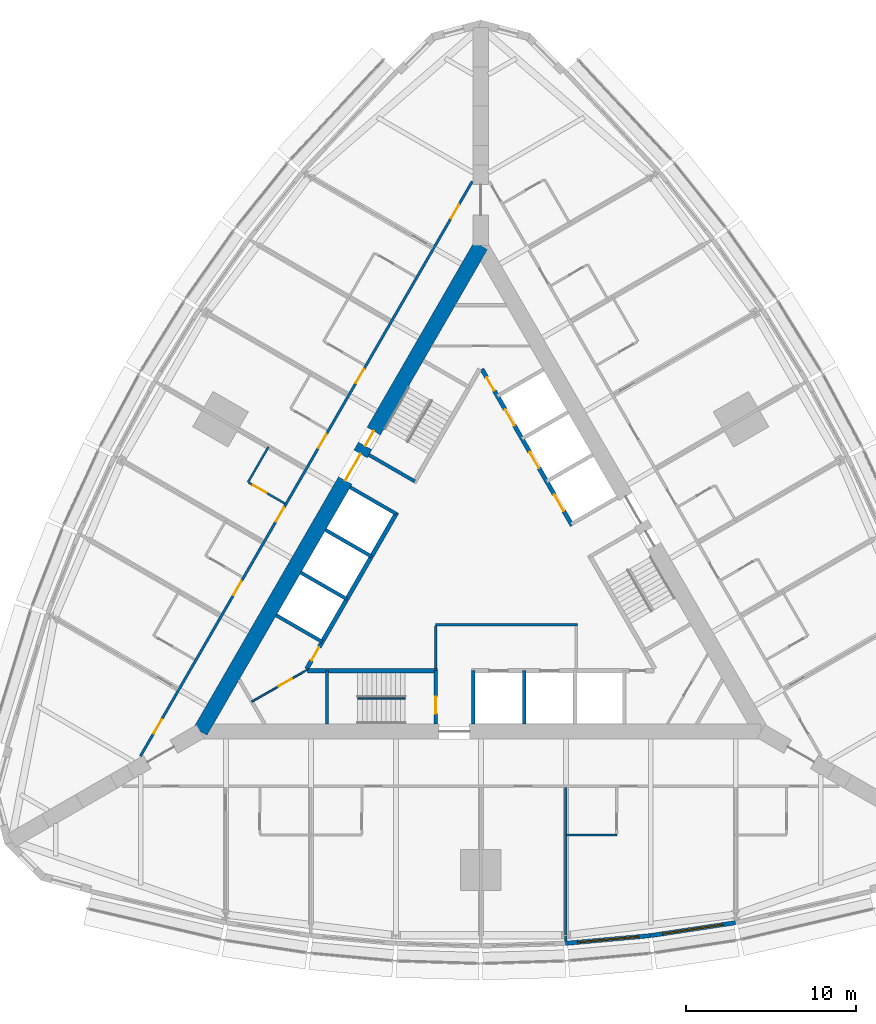
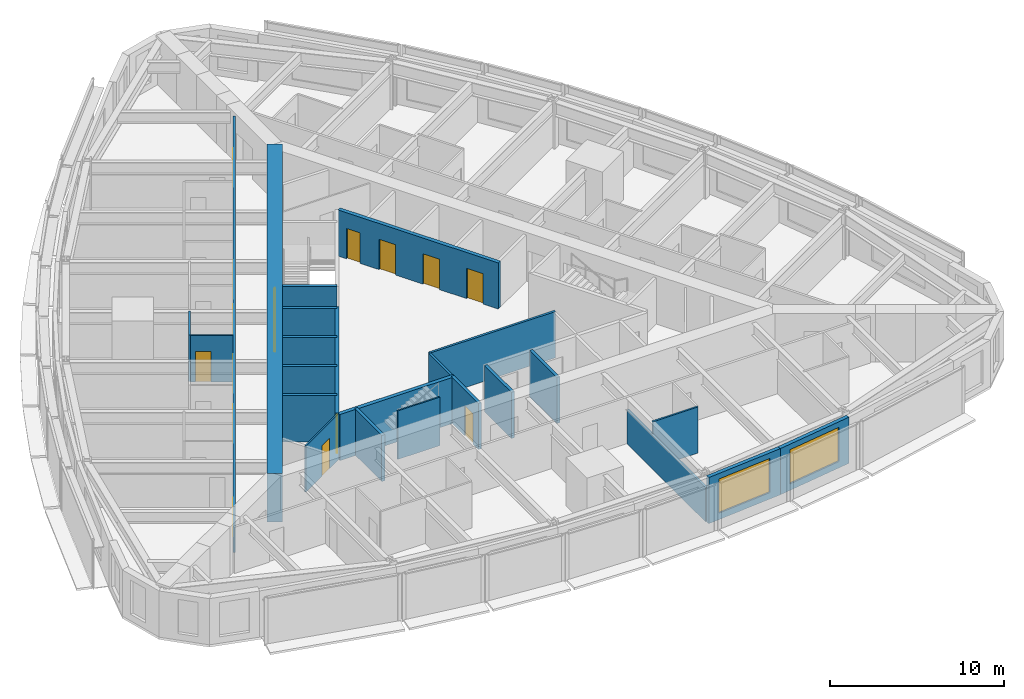
# One storey, part 9 of 14: 24 walls, 16 doors, 2 windows, 18 openings.
"""IFC4 building model written with IfcOpenShell, lengths in metres."""

from ifc_helpers import new_model, si_unit, direction, frame, frame_2d, origin, place, context, subcontext, project, spatial, rectangle, extrude, material, layer, layer_set, type_object, element, fill, save


model = new_model("IFC4")

# Units and contexts
model_context = context("Model", 3, precision=1e-05, world=origin(), true_north=direction((0.0, 1.0)))
body_context = subcontext(model_context, "Body", "Model", "MODEL_VIEW")
ifc_project = project(units=[si_unit("LENGTHUNIT", "METRE"), si_unit("AREAUNIT", "SQUARE_METRE"), si_unit("VOLUMEUNIT", "CUBIC_METRE"), si_unit("PLANEANGLEUNIT", "RADIAN"), si_unit("MASSUNIT", "GRAM", prefix="KILO")], contexts=[model_context])

# Site, building, storey
site_placement = place(None, origin())
site = spatial("IfcSite", under=ifc_project, at=site_placement, CompositionType="ELEMENT")
building_placement = place(site_placement, origin())
building = spatial("IfcBuilding", under=site, at=building_placement, Name="Trikona Tower", CompositionType="ELEMENT")
storey_placement = place(building_placement, frame((0.0, 0.0, 48.89990234375)))
storey = spatial("IfcBuildingStorey", under=building, at=storey_placement, Name="L11", CompositionType="ELEMENT", Elevation=48.89990234375)

# Walls
ifc_material_1 = material(Name="Metal stud and cement board", Category="gypsum")
ifc_layer_1 = layer(ifc_material_1, 0.1201171875)
ifc_layer_set_1 = layer_set([ifc_layer_1], Name="Bathroom wall 120")
wall_type_1 = type_object("IfcWallType", Name="Bathroom wall 120", PredefinedType="PLUMBINGWALL", material=ifc_layer_set_1)
wall_1_placement = place(storey_placement, frame((5.0, -15.626220703125, 0.0), z_axis=(0.0, 0.0, 1.0), x_axis=(1.0, 0.0, 0.0)))
element("IfcWall", 1, at=wall_1_placement, inside=storey, type_object=wall_type_1, Name="Bathroom wall 1103", PredefinedType="PLUMBINGWALL", context=body_context, shape_type="SweptSolid", body=[
    extrude(rectangle(XDim=3.0, YDim=0.1201171875, at=frame_2d((1.5, 0.0))), origin(), (0.0, 0.0, 1.0), 3.235107421875),
])
wall_2_placement = place(storey_placement, frame((-12.493408203125, 7.213134765625, 0.0), z_axis=(0.0, 0.0, 1.0), x_axis=(-0.500077600433, -0.865980596518, 0.0)))
element("IfcWall", 2, at=wall_2_placement, inside=storey, type_object=wall_type_1, Name="Bathroom wall 1114", PredefinedType="PLUMBINGWALL", context=body_context, shape_type="SweptSolid", body=[
    extrude(rectangle(XDim=2.39990234375, YDim=0.1201171875, at=frame_2d((1.199951171875, 0.0))), origin(), (0.0, 0.0, 1.0), 3.235107421875),
])

# Wall, opening, door
wall_3_placement = place(storey_placement, frame((-11.528564453125, 3.884765625, 0.0), z_axis=(0.0, 0.0, 1.0), x_axis=(-0.866023955769, 0.500002508028, 0.0)))
wall_3 = element("IfcWall", 3, at=wall_3_placement, inside=storey, type_object=wall_type_1, Name="Bathroom wall 1114", PredefinedType="PLUMBINGWALL", context=body_context, shape_type="SweptSolid", body=[
    extrude(rectangle(XDim=2.43994140625, YDim=0.1201171875, at=frame_2d((1.219970703125, 0.0))), origin(), (0.0, 0.0, 1.0), 3.235107421875),
])
opening_1_placement = place(wall_3_placement, frame((1.25, 0.0, 0.0)))
opening_1 = element("IfcOpeningElement", 4, at=opening_1_placement, cuts=wall_3, Name="Opening D2", PredefinedType="OPENING", context=body_context, shape_type="SweptSolid", body=[
    extrude(rectangle(XDim=0.89990234375, YDim=2.1298828125, at=frame_2d((0.449951171875, 1.06494140625))), frame((0.0, 0.070068359375, 0.0), z_axis=(0.0, -1.0, 0.0), x_axis=(1.0, 0.0, 0.0)), (0.0, 0.0, 1.0), 0.14013671875),
])
ifc_material_2 = material(Name="Steel door frame with solid-core timber leaf", Category="steel")
door_type_1 = type_object("IfcDoorType", Name="Bathroom door 900x2130", OperationType="SLIDING_TO_LEFT", PredefinedType="DOOR", material=ifc_material_2)
door_1_placement = place(opening_1_placement, origin())
door_1 = element("IfcDoor", 5, at=door_1_placement, inside=storey, type_object=door_type_1, Name="Bathroom door 1114", OperationType="SLIDING_TO_LEFT", OverallHeight=2.1298828125, OverallWidth=0.89990234375, PredefinedType="DOOR", context=body_context, shape_type="SweptSolid", body=[
    extrude(rectangle(XDim=0.89990234375, YDim=2.1298828125, at=frame_2d((0.449951171875, 1.06494140625))), frame((0.0, 0.02490234375, 0.0), z_axis=(0.0, -1.0, 0.0), x_axis=(1.0, 0.0, 0.0)), (0.0, 0.0, 1.0), 0.050048828125),
])
fill(opening_1, door_1)

# Wall, openings, doors
ifc_material_3 = material(Name="Concrete f'c 10000 psi", Category="concrete")
ifc_layer_2 = layer(ifc_material_3, 0.89990234375)
ifc_layer_set_2 = layer_set([ifc_layer_2], Name="Core wall 900")
wall_type_2 = type_object("IfcWallType", Name="Core wall 900", PredefinedType="SHEAR", material=ifc_layer_set_2)
wall_4_placement = place(storey_placement, frame((0.0, 19.052490234375, 0.0), z_axis=(0.0, 0.0, 1.0), x_axis=(-0.499999749417, -0.866025548458, 0.0)))
wall_4 = element("IfcWall", 6, at=wall_4_placement, inside=storey, type_object=wall_type_2, Name="Core wall C", PredefinedType="SHEAR", context=body_context, shape_type="SweptSolid", body=[
    extrude(rectangle(XDim=33.0, YDim=0.89990234375, at=frame_2d((16.5, 0.0))), origin(), (0.0, 0.0, 1.0), 3.400146484375),
])
opening_2_placement = place(wall_4_placement, frame((14.14990234375, 0.0, 0.0)))
opening_2 = element("IfcOpeningElement", 7, at=opening_2_placement, cuts=wall_4, Name="Opening D6", PredefinedType="OPENING", context=body_context, shape_type="SweptSolid", body=[
    extrude(rectangle(XDim=1.800048828125, YDim=2.1298828125, at=frame_2d((0.89990234375, 1.06494140625))), frame((0.0, 0.4599609375, 0.0), z_axis=(0.0, -1.0, 0.0), x_axis=(1.0, 0.0, 0.0)), (0.0, 0.0, 1.0), 0.919921875),
])
opening_3_placement = place(wall_4_placement, frame((12.60009765625, 0.0, 0.0)))
opening_3 = element("IfcOpeningElement", 8, at=opening_3_placement, cuts=wall_4, Name="Opening D5", PredefinedType="OPENING", context=body_context, shape_type="SweptSolid", body=[
    extrude(rectangle(XDim=1.0, YDim=2.1298828125, at=frame_2d((0.5, 1.06494140625))), frame((0.0, 0.4599609375, 0.0), z_axis=(0.0, -1.0, 0.0), x_axis=(1.0, 0.0, 0.0)), (0.0, 0.0, 1.0), 0.919921875),
])
ifc_material_4 = material(Name="Hollow metal door and frame", Category="steel")
door_type_2 = type_object("IfcDoorType", Name="Lobby door pair 1800x2130", OperationType="DOUBLE_DOOR_SINGLE_SWING", PredefinedType="DOOR", material=ifc_material_4)
door_2_placement = place(opening_2_placement, origin())
door_2 = element("IfcDoor", 9, at=door_2_placement, inside=storey, type_object=door_type_2, Name="Lift lobby door C", OperationType="DOUBLE_DOOR_SINGLE_SWING", OverallHeight=2.1298828125, OverallWidth=1.800048828125, PredefinedType="DOOR", context=body_context, shape_type="SweptSolid", body=[
    extrude(rectangle(XDim=1.800048828125, YDim=2.1298828125, at=frame_2d((0.89990234375, 1.06494140625))), frame((0.0, 0.02490234375, 0.0), z_axis=(0.0, -1.0, 0.0), x_axis=(1.0, 0.0, 0.0)), (0.0, 0.0, 1.0), 0.050048828125),
])
fill(opening_2, door_2)
ifc_material_5 = material(Name="Hollow metal door and frame", Category="steel")
door_type_3 = type_object("IfcDoorType", Name="Stair door 1000x2130", OperationType="SINGLE_SWING_LEFT", PredefinedType="DOOR", material=ifc_material_5)
door_3_placement = place(opening_3_placement, origin())
door_3 = element("IfcDoor", 10, at=door_3_placement, inside=storey, type_object=door_type_3, Name="Stair C door", OperationType="SINGLE_SWING_RIGHT", OverallHeight=2.1298828125, OverallWidth=1.0, PredefinedType="DOOR", context=body_context, shape_type="SweptSolid", body=[
    extrude(rectangle(XDim=1.0, YDim=2.1298828125, at=frame_2d((0.5, 1.06494140625))), frame((0.0, 0.02490234375, 0.0), z_axis=(0.0, -1.0, 0.0), x_axis=(1.0, 0.0, 0.0)), (0.0, 0.0, 1.0), 0.050048828125),
])
fill(opening_3, door_3)

ifc_material_6 = material(Name="Metal stud and gypsum board, 1-hour", Category="gypsum")
ifc_layer_3 = layer(ifc_material_6, 0.14990234375)
ifc_layer_set_3 = layer_set([ifc_layer_3], Name="Corridor wall 150")
wall_type_3 = type_object("IfcWallType", Name="Corridor wall 150", PredefinedType="PARTITIONING", material=ifc_layer_set_3)
wall_5_placement = place(storey_placement, frame((-0.5, 22.83642578125, 0.0), z_axis=(0.0, 0.0, 1.0), x_axis=(-0.500001677587, -0.866024435227, 0.0)))
wall_5 = element("IfcWall", 11, at=wall_5_placement, inside=storey, type_object=wall_type_3, Name="Corridor wall L11-3", PredefinedType="PARTITIONING", context=body_context, shape_type="SweptSolid", body=[
    extrude(rectangle(XDim=39.053955078125, YDim=0.14990234375, at=frame_2d((19.52685546875, 0.0))), origin(), (0.0, 0.0, 1.0), 3.235107421875),
])
opening_4_placement = place(wall_5_placement, frame((1.558349609375, 0.0, 0.0)))
opening_4 = element("IfcOpeningElement", 12, at=opening_4_placement, cuts=wall_5, Name="Opening D1", PredefinedType="OPENING", context=body_context, shape_type="SweptSolid", body=[
    extrude(rectangle(XDim=0.949951171875, YDim=2.1298828125, at=frame_2d((0.47509765625, 1.06494140625))), frame((0.0, 0.0849609375, 0.0), z_axis=(0.0, -1.0, 0.0), x_axis=(1.0, 0.0, 0.0)), (0.0, 0.0, 1.0), 0.169921875),
])
opening_5_placement = place(wall_5_placement, frame((12.751953125, 0.0, 0.0)))
opening_5 = element("IfcOpeningElement", 13, at=opening_5_placement, cuts=wall_5, Name="Opening D1", PredefinedType="OPENING", context=body_context, shape_type="SweptSolid", body=[
    extrude(rectangle(XDim=0.949951171875, YDim=2.1298828125, at=frame_2d((0.47509765625, 1.06494140625))), frame((0.0, 0.0849609375, 0.0), z_axis=(0.0, -1.0, 0.0), x_axis=(1.0, 0.0, 0.0)), (0.0, 0.0, 1.0), 0.169921875),
])
opening_6_placement = place(wall_5_placement, frame((17.152099609375, 0.0, 0.0)))
opening_6 = element("IfcOpeningElement", 14, at=opening_6_placement, cuts=wall_5, Name="Opening D1", PredefinedType="OPENING", context=body_context, shape_type="SweptSolid", body=[
    extrude(rectangle(XDim=0.949951171875, YDim=2.1298828125, at=frame_2d((0.47509765625, 1.06494140625))), frame((0.0, 0.0849609375, 0.0), z_axis=(0.0, -1.0, 0.0), x_axis=(1.0, 0.0, 0.0)), (0.0, 0.0, 1.0), 0.169921875),
])
opening_7_placement = place(wall_5_placement, frame((22.152099609375, 0.0, 0.0)))
opening_7 = element("IfcOpeningElement", 15, at=opening_7_placement, cuts=wall_5, Name="Opening D1", PredefinedType="OPENING", context=body_context, shape_type="SweptSolid", body=[
    extrude(rectangle(XDim=0.949951171875, YDim=2.1298828125, at=frame_2d((0.47509765625, 1.06494140625))), frame((0.0, 0.0849609375, 0.0), z_axis=(0.0, -1.0, 0.0), x_axis=(1.0, 0.0, 0.0)), (0.0, 0.0, 1.0), 0.169921875),
])
opening_8_placement = place(wall_5_placement, frame((27.152099609375, 0.0, 0.0)))
opening_8 = element("IfcOpeningElement", 16, at=opening_8_placement, cuts=wall_5, Name="Opening D1", PredefinedType="OPENING", context=body_context, shape_type="SweptSolid", body=[
    extrude(rectangle(XDim=0.949951171875, YDim=2.1298828125, at=frame_2d((0.47509765625, 1.06494140625))), frame((0.0, 0.0849609375, 0.0), z_axis=(0.0, -1.0, 0.0), x_axis=(1.0, 0.0, 0.0)), (0.0, 0.0, 1.0), 0.169921875),
])
opening_9_placement = place(wall_5_placement, frame((36.545654296875, 0.0, 0.0)))
opening_9 = element("IfcOpeningElement", 17, at=opening_9_placement, cuts=wall_5, Name="Opening D1", PredefinedType="OPENING", context=body_context, shape_type="SweptSolid", body=[
    extrude(rectangle(XDim=0.949951171875, YDim=2.1298828125, at=frame_2d((0.47509765625, 1.06494140625))), frame((0.0, 0.0849609375, 0.0), z_axis=(0.0, -1.0, 0.0), x_axis=(1.0, 0.0, 0.0)), (0.0, 0.0, 1.0), 0.169921875),
])
ifc_material_7 = material(Name="Steel door frame with solid-core timber leaf", Category="steel")
door_type_4 = type_object("IfcDoorType", Name="Guest room door 950x2130", OperationType="SINGLE_SWING_LEFT", PredefinedType="DOOR", material=ifc_material_7)
door_4_placement = place(opening_4_placement, origin())
door_4 = element("IfcDoor", 18, at=door_4_placement, inside=storey, type_object=door_type_4, Name="Room door 1111", OperationType="SINGLE_SWING_LEFT", OverallHeight=2.1298828125, OverallWidth=0.949951171875, PredefinedType="DOOR", context=body_context, shape_type="SweptSolid", body=[
    extrude(rectangle(XDim=0.949951171875, YDim=2.1298828125, at=frame_2d((0.47509765625, 1.06494140625))), frame((0.0, 0.02490234375, 0.0), z_axis=(0.0, -1.0, 0.0), x_axis=(1.0, 0.0, 0.0)), (0.0, 0.0, 1.0), 0.050048828125),
])
fill(opening_4, door_4)
door_5_placement = place(opening_5_placement, origin())
door_5 = element("IfcDoor", 19, at=door_5_placement, inside=storey, type_object=door_type_4, Name="Room door 1112", OperationType="SINGLE_SWING_RIGHT", OverallHeight=2.1298828125, OverallWidth=0.949951171875, PredefinedType="DOOR", context=body_context, shape_type="SweptSolid", body=[
    extrude(rectangle(XDim=0.949951171875, YDim=2.1298828125, at=frame_2d((0.47509765625, 1.06494140625))), frame((0.0, 0.02490234375, 0.0), z_axis=(0.0, -1.0, 0.0), x_axis=(1.0, 0.0, 0.0)), (0.0, 0.0, 1.0), 0.050048828125),
])
fill(opening_5, door_5)
door_6_placement = place(opening_6_placement, origin())
door_6 = element("IfcDoor", 20, at=door_6_placement, inside=storey, type_object=door_type_4, Name="Room door 1113", OperationType="SINGLE_SWING_LEFT", OverallHeight=2.1298828125, OverallWidth=0.949951171875, PredefinedType="DOOR", context=body_context, shape_type="SweptSolid", body=[
    extrude(rectangle(XDim=0.949951171875, YDim=2.1298828125, at=frame_2d((0.47509765625, 1.06494140625))), frame((0.0, 0.02490234375, 0.0), z_axis=(0.0, -1.0, 0.0), x_axis=(1.0, 0.0, 0.0)), (0.0, 0.0, 1.0), 0.050048828125),
])
fill(opening_6, door_6)
door_7_placement = place(opening_7_placement, origin())
door_7 = element("IfcDoor", 21, at=door_7_placement, inside=storey, type_object=door_type_4, Name="Room door 1114", OperationType="SINGLE_SWING_RIGHT", OverallHeight=2.1298828125, OverallWidth=0.949951171875, PredefinedType="DOOR", context=body_context, shape_type="SweptSolid", body=[
    extrude(rectangle(XDim=0.949951171875, YDim=2.1298828125, at=frame_2d((0.47509765625, 1.06494140625))), frame((0.0, 0.02490234375, 0.0), z_axis=(0.0, -1.0, 0.0), x_axis=(1.0, 0.0, 0.0)), (0.0, 0.0, 1.0), 0.050048828125),
])
fill(opening_7, door_7)
door_8_placement = place(opening_8_placement, origin())
door_8 = element("IfcDoor", 22, at=door_8_placement, inside=storey, type_object=door_type_4, Name="Room door 1115", OperationType="SINGLE_SWING_LEFT", OverallHeight=2.1298828125, OverallWidth=0.949951171875, PredefinedType="DOOR", context=body_context, shape_type="SweptSolid", body=[
    extrude(rectangle(XDim=0.949951171875, YDim=2.1298828125, at=frame_2d((0.47509765625, 1.06494140625))), frame((0.0, 0.02490234375, 0.0), z_axis=(0.0, -1.0, 0.0), x_axis=(1.0, 0.0, 0.0)), (0.0, 0.0, 1.0), 0.050048828125),
])
fill(opening_8, door_8)
door_9_placement = place(opening_9_placement, origin())
door_9 = element("IfcDoor", 23, at=door_9_placement, inside=storey, type_object=door_type_4, Name="Room door 1116", OperationType="SINGLE_SWING_RIGHT", OverallHeight=2.1298828125, OverallWidth=0.949951171875, PredefinedType="DOOR", context=body_context, shape_type="SweptSolid", body=[
    extrude(rectangle(XDim=0.949951171875, YDim=2.1298828125, at=frame_2d((0.47509765625, 1.06494140625))), frame((0.0, 0.02490234375, 0.0), z_axis=(0.0, -1.0, 0.0), x_axis=(1.0, 0.0, 0.0)), (0.0, 0.0, 1.0), 0.050048828125),
])
fill(opening_9, door_9)

# Wall
ifc_material_8 = material(Name="Concrete f'c 8000 psi", Category="concrete")
ifc_layer_4 = layer(ifc_material_8, 0.25)
ifc_layer_set_4 = layer_set([ifc_layer_4], Name="Hub wall 250")
wall_type_4 = type_object("IfcWallType", Name="Hub wall 250", PredefinedType="SOLIDWALL", material=ifc_layer_set_4)
wall_6_placement = place(storey_placement, frame((-10.182861328125, -5.951416015625, 0.0), z_axis=(0.0, 0.0, 1.0), x_axis=(1.0, 0.0, 0.0)))
element("IfcWall", 24, at=wall_6_placement, inside=storey, type_object=wall_type_4, Name="Lift lobby wall A1", PredefinedType="SOLIDWALL", context=body_context, shape_type="SweptSolid", body=[
    extrude(rectangle(XDim=7.6328125, YDim=0.25, at=frame_2d((3.81640625, 0.0))), origin(), (0.0, 0.0, 1.0), 3.235107421875),
])

# Wall, openings, doors
wall_7_placement = place(storey_placement, frame((5.37890625, 2.5859375, 0.0), z_axis=(0.0, 0.0, 1.0), x_axis=(-0.500001375892, 0.866024609411, 0.0)))
wall_7 = element("IfcWall", 25, at=wall_7_placement, inside=storey, type_object=wall_type_4, Name="Lift lobby wall B2", PredefinedType="SOLIDWALL", context=body_context, shape_type="SweptSolid", body=[
    extrude(rectangle(XDim=10.6328125, YDim=0.25, at=frame_2d((5.31640625, 0.0))), origin(), (0.0, 0.0, 1.0), 3.235107421875),
])
opening_10_placement = place(wall_7_placement, frame((9.1640625, 0.0, 0.0)))
opening_10 = element("IfcOpeningElement", 26, at=opening_10_placement, cuts=wall_7, Name="Opening D14", PredefinedType="OPENING", context=body_context, shape_type="SweptSolid", body=[
    extrude(rectangle(XDim=0.89990234375, YDim=2.1298828125, at=frame_2d((0.449951171875, 1.06494140625))), frame((0.0, 0.135009765625, 0.0), z_axis=(0.0, -1.0, 0.0), x_axis=(1.0, 0.0, 0.0)), (0.0, 0.0, 1.0), 0.27001953125),
])
opening_11_placement = place(wall_7_placement, frame((1.0, 0.0, 0.0)))
opening_11 = element("IfcOpeningElement", 27, at=opening_11_placement, cuts=wall_7, Name="Opening LD", PredefinedType="OPENING", context=body_context, shape_type="SweptSolid", body=[
    extrude(rectangle(XDim=1.10009765625, YDim=2.1298828125, at=frame_2d((0.550048828125, 1.06494140625))), frame((0.0, 0.135009765625, 0.0), z_axis=(0.0, -1.0, 0.0), x_axis=(1.0, 0.0, 0.0)), (0.0, 0.0, 1.0), 0.27001953125),
])
opening_12_placement = place(wall_7_placement, frame((3.89990234375, 0.0, 0.0)))
opening_12 = element("IfcOpeningElement", 28, at=opening_12_placement, cuts=wall_7, Name="Opening LD", PredefinedType="OPENING", context=body_context, shape_type="SweptSolid", body=[
    extrude(rectangle(XDim=1.10009765625, YDim=2.1298828125, at=frame_2d((0.550048828125, 1.06494140625))), frame((0.0, 0.135009765625, 0.0), z_axis=(0.0, -1.0, 0.0), x_axis=(1.0, 0.0, 0.0)), (0.0, 0.0, 1.0), 0.27001953125),
])
opening_13_placement = place(wall_7_placement, frame((6.800048828125, 0.0, 0.0)))
opening_13 = element("IfcOpeningElement", 29, at=opening_13_placement, cuts=wall_7, Name="Opening LD", PredefinedType="OPENING", context=body_context, shape_type="SweptSolid", body=[
    extrude(rectangle(XDim=1.10009765625, YDim=2.1298828125, at=frame_2d((0.550048828125, 1.06494140625))), frame((0.0, 0.135009765625, 0.0), z_axis=(0.0, -1.0, 0.0), x_axis=(1.0, 0.0, 0.0)), (0.0, 0.0, 1.0), 0.27001953125),
])
ifc_material_9 = material(Name="Stainless steel lift landing door", Category="steel")
door_type_5 = type_object("IfcDoorType", Name="Lift landing door 1100x2130", OperationType="DOUBLE_DOOR_SLIDING", PredefinedType="USERDEFINED", material=ifc_material_9)
door_10_placement = place(opening_11_placement, origin())
door_10 = element("IfcDoor", 30, at=door_10_placement, inside=storey, type_object=door_type_5, Name="Lift landing door L1-1", ObjectType="LIFT LANDING DOOR", OperationType="DOUBLE_DOOR_SLIDING", OverallHeight=2.1298828125, OverallWidth=1.10009765625, PredefinedType="USERDEFINED", context=body_context, shape_type="SweptSolid", body=[
    extrude(rectangle(XDim=1.10009765625, YDim=2.1298828125, at=frame_2d((0.550048828125, 1.06494140625))), frame((0.0, 0.02490234375, 0.0), z_axis=(0.0, -1.0, 0.0), x_axis=(1.0, 0.0, 0.0)), (0.0, 0.0, 1.0), 0.050048828125),
])
fill(opening_11, door_10)
door_11_placement = place(opening_12_placement, origin())
door_11 = element("IfcDoor", 31, at=door_11_placement, inside=storey, type_object=door_type_5, Name="Lift landing door L1-2", ObjectType="LIFT LANDING DOOR", OperationType="DOUBLE_DOOR_SLIDING", OverallHeight=2.1298828125, OverallWidth=1.10009765625, PredefinedType="USERDEFINED", context=body_context, shape_type="SweptSolid", body=[
    extrude(rectangle(XDim=1.10009765625, YDim=2.1298828125, at=frame_2d((0.550048828125, 1.06494140625))), frame((0.0, 0.02490234375, 0.0), z_axis=(0.0, -1.0, 0.0), x_axis=(1.0, 0.0, 0.0)), (0.0, 0.0, 1.0), 0.050048828125),
])
fill(opening_12, door_11)
door_12_placement = place(opening_13_placement, origin())
door_12 = element("IfcDoor", 32, at=door_12_placement, inside=storey, type_object=door_type_5, Name="Lift landing door L1-3", ObjectType="LIFT LANDING DOOR", OperationType="DOUBLE_DOOR_SLIDING", OverallHeight=2.1298828125, OverallWidth=1.10009765625, PredefinedType="USERDEFINED", context=body_context, shape_type="SweptSolid", body=[
    extrude(rectangle(XDim=1.10009765625, YDim=2.1298828125, at=frame_2d((0.550048828125, 1.06494140625))), frame((0.0, 0.02490234375, 0.0), z_axis=(0.0, -1.0, 0.0), x_axis=(1.0, 0.0, 0.0)), (0.0, 0.0, 1.0), 0.050048828125),
])
fill(opening_13, door_12)
ifc_material_10 = material(Name="Hollow metal door and frame", Category="steel")
door_type_6 = type_object("IfcDoorType", Name="Service room door 900x2130", OperationType="SINGLE_SWING_LEFT", PredefinedType="DOOR", material=ifc_material_10)
door_13_placement = place(opening_10_placement, origin())
door_13 = element("IfcDoor", 33, at=door_13_placement, inside=storey, type_object=door_type_6, Name="Door Linen store LIN", OperationType="SINGLE_SWING_RIGHT", OverallHeight=2.1298828125, OverallWidth=0.89990234375, PredefinedType="DOOR", context=body_context, shape_type="SweptSolid", body=[
    extrude(rectangle(XDim=0.89990234375, YDim=2.1298828125, at=frame_2d((0.449951171875, 1.06494140625))), frame((0.0, 0.02490234375, 0.0), z_axis=(0.0, -1.0, 0.0), x_axis=(1.0, 0.0, 0.0)), (0.0, 0.0, 1.0), 0.050048828125),
])
fill(opening_10, door_13)

# Wall, opening, door
wall_8_placement = place(storey_placement, frame((-4.928955078125, 3.365478515625, 0.0), z_axis=(0.0, 0.0, 1.0), x_axis=(-0.499991433582, -0.866030349552, 0.0)))
wall_8 = element("IfcWall", 34, at=wall_8_placement, inside=storey, type_object=wall_type_4, Name="Lift lobby wall C2", PredefinedType="SOLIDWALL", context=body_context, shape_type="SweptSolid", body=[
    extrude(rectangle(XDim=10.633056640625, YDim=0.25, at=frame_2d((5.31640625, 0.0))), origin(), (0.0, 0.0, 1.0), 3.235107421875),
])
opening_14_placement = place(wall_8_placement, frame((9.1640625, 0.0, 0.0)))
opening_14 = element("IfcOpeningElement", 35, at=opening_14_placement, cuts=wall_8, Name="Opening D14", PredefinedType="OPENING", context=body_context, shape_type="SweptSolid", body=[
    extrude(rectangle(XDim=0.89990234375, YDim=2.1298828125, at=frame_2d((0.449951171875, 1.06494140625))), frame((0.0, 0.135009765625, 0.0), z_axis=(0.0, -1.0, 0.0), x_axis=(1.0, 0.0, 0.0)), (0.0, 0.0, 1.0), 0.27001953125),
])
door_14_placement = place(opening_14_placement, origin())
door_14 = element("IfcDoor", 36, at=door_14_placement, inside=storey, type_object=door_type_6, Name="Door Housekeeping store HKS", OperationType="SINGLE_SWING_RIGHT", OverallHeight=2.1298828125, OverallWidth=0.89990234375, PredefinedType="DOOR", context=body_context, shape_type="SweptSolid", body=[
    extrude(rectangle(XDim=0.89990234375, YDim=2.1298828125, at=frame_2d((0.449951171875, 1.06494140625))), frame((0.0, 0.02490234375, 0.0), z_axis=(0.0, -1.0, 0.0), x_axis=(1.0, 0.0, 0.0)), (0.0, 0.0, 1.0), 0.050048828125),
])
fill(opening_14, door_14)

# Wall, opening, window
ifc_material_11 = material(Name="Insulated precast concrete spandrel panel", Category="concrete")
ifc_layer_5 = layer(ifc_material_11, 0.25)
ifc_layer_set_5 = layer_set([ifc_layer_5], Name="Inner skin wall 250")
wall_type_5 = type_object("IfcWallType", Name="Inner skin wall 250", PredefinedType="STANDARD", material=ifc_layer_set_5)
wall_9_placement = place(storey_placement, frame((4.988525390625, -21.995849609375, 0.0), z_axis=(0.0, 0.0, 1.0), x_axis=(0.995857256774, 0.090930325692, 0.0)))
wall_9 = element("IfcWall", 37, at=wall_9_placement, inside=storey, type_object=wall_type_5, Name="External wall L11-05", PredefinedType="STANDARD", context=body_context, shape_type="SweptSolid", body=[
    extrude(rectangle(XDim=5.020751953125, YDim=0.25, at=frame_2d((2.51025390625, 0.0))), origin(), (0.0, 0.0, 1.0), 3.235107421875),
])
opening_15_placement = place(wall_9_placement, frame((0.71044921875, 0.0, 0.449951171875)))
opening_15 = element("IfcOpeningElement", 38, at=opening_15_placement, cuts=wall_9, Name="Opening W3624", PredefinedType="OPENING", context=body_context, shape_type="SweptSolid", body=[
    extrude(rectangle(XDim=3.60009765625, YDim=2.39990234375, at=frame_2d((1.800048828125, 1.199951171875))), frame((0.0, 0.135009765625, 0.0), z_axis=(0.0, -1.0, 0.0), x_axis=(1.0, 0.0, 0.0)), (0.0, 0.0, 1.0), 0.27001953125),
])
ifc_material_12 = material(Name="Aluminium-framed double glazing", Category="aluminium")
window_type = type_object("IfcWindowType", Name="Window 3600x2400", PartitioningType="SINGLE_PANEL", PredefinedType="WINDOW", material=ifc_material_12)
window_1_placement = place(opening_15_placement, origin())
window_1 = element("IfcWindow", 39, at=window_1_placement, inside=storey, type_object=window_type, Name="Window 1103", OverallHeight=2.39990234375, OverallWidth=3.60009765625, PartitioningType="SINGLE_PANEL", PredefinedType="WINDOW", context=body_context, shape_type="SweptSolid", body=[
    extrude(rectangle(XDim=3.60009765625, YDim=2.39990234375, at=frame_2d((1.800048828125, 1.199951171875))), frame((0.0, 0.030029296875, 0.0), z_axis=(0.0, -1.0, 0.0), x_axis=(1.0, 0.0, 0.0)), (0.0, 0.0, 1.0), 0.06005859375),
])
fill(opening_15, window_1)

wall_10_placement = place(storey_placement, frame((9.981201171875, -21.540283203125, 0.0), z_axis=(0.0, 0.0, 1.0), x_axis=(0.988615403399, 0.150464561152, 0.0)))
wall_10 = element("IfcWall", 40, at=wall_10_placement, inside=storey, type_object=wall_type_5, Name="External wall L11-06", PredefinedType="STANDARD", context=body_context, shape_type="SweptSolid", body=[
    extrude(rectangle(XDim=5.0576171875, YDim=0.25, at=frame_2d((2.52880859375, 0.0))), origin(), (0.0, 0.0, 1.0), 3.235107421875),
])
opening_16_placement = place(wall_10_placement, frame((0.728759765625, 0.0, 0.449951171875)))
opening_16 = element("IfcOpeningElement", 41, at=opening_16_placement, cuts=wall_10, Name="Opening W3624", PredefinedType="OPENING", context=body_context, shape_type="SweptSolid", body=[
    extrude(rectangle(XDim=3.60009765625, YDim=2.39990234375, at=frame_2d((1.800048828125, 1.199951171875))), frame((0.0, 0.135009765625, 0.0), z_axis=(0.0, -1.0, 0.0), x_axis=(1.0, 0.0, 0.0)), (0.0, 0.0, 1.0), 0.27001953125),
])
window_2_placement = place(opening_16_placement, origin())
window_2 = element("IfcWindow", 42, at=window_2_placement, inside=storey, type_object=window_type, Name="Window 1103", OverallHeight=2.39990234375, OverallWidth=3.60009765625, PartitioningType="SINGLE_PANEL", PredefinedType="WINDOW", context=body_context, shape_type="SweptSolid", body=[
    extrude(rectangle(XDim=3.60009765625, YDim=2.39990234375, at=frame_2d((1.800048828125, 1.199951171875))), frame((0.0, 0.030029296875, 0.0), z_axis=(0.0, -1.0, 0.0), x_axis=(1.0, 0.0, 0.0)), (0.0, 0.0, 1.0), 0.06005859375),
])
fill(opening_16, window_2)

# Walls
ifc_material_13 = material(Name="Metal stud and gypsum board, 2-hour shaft wall", Category="gypsum")
ifc_layer_6 = layer(ifc_material_13, 0.14990234375)
ifc_layer_set_6 = layer_set([ifc_layer_6], Name="Lobby wall 150")
wall_type_6 = type_object("IfcWallType", Name="Lobby wall 150", PredefinedType="PARTITIONING", material=ifc_layer_set_6)
wall_11_placement = place(storey_placement, frame((-2.64990234375, -3.251220703125, 0.0), z_axis=(0.0, 0.0, 1.0), x_axis=(1.0, 0.0, 0.0)))
element("IfcWall", 43, at=wall_11_placement, inside=storey, type_object=wall_type_6, Name="Fire service lift lobby wall 1", PredefinedType="PARTITIONING", context=body_context, shape_type="SweptSolid", body=[
    extrude(rectangle(XDim=8.349853515625, YDim=0.14990234375, at=frame_2d((4.1748046875, 0.0))), origin(), (0.0, 0.0, 1.0), 3.235107421875),
])
wall_12_placement = place(storey_placement, frame((-2.64990234375, -5.826416015625, 0.0), z_axis=(0.0, 0.0, 1.0), x_axis=(0.0, 1.0, 0.0)))
element("IfcWall", 44, at=wall_12_placement, inside=storey, type_object=wall_type_6, Name="Fire service lift lobby wall 2", PredefinedType="PARTITIONING", context=body_context, shape_type="SweptSolid", body=[
    extrude(rectangle(XDim=2.5, YDim=0.14990234375, at=frame_2d((1.25, 0.0))), origin(), (0.0, 0.0, 1.0), 3.235107421875),
])
ifc_material_14 = material(Name="Metal stud and gypsum board, 1-hour acoustic", Category="gypsum")
ifc_layer_7 = layer(ifc_material_14, 0.14990234375)
ifc_layer_set_7 = layer_set([ifc_layer_7], Name="Party wall 150")
wall_type_7 = type_object("IfcWallType", Name="Party wall 150", PredefinedType="PARTITIONING", material=ifc_layer_set_7)
wall_13_placement = place(storey_placement, frame((5.0, -12.826416015625, 0.0), z_axis=(0.0, 0.0, 1.0), x_axis=(0.0, -1.0, 0.0)))
element("IfcWall", 45, at=wall_13_placement, inside=storey, type_object=wall_type_7, Name="Partition L11 F1 u5", PredefinedType="PARTITIONING", context=body_context, shape_type="SweptSolid", body=[
    extrude(rectangle(XDim=9.04296875, YDim=0.14990234375, at=frame_2d((4.521484375, 0.0))), origin(), (0.0, 0.0, 1.0), 2.389404296875),
])
ifc_material_15 = material(Name="Concrete f'c 8000 psi", Category="concrete")
ifc_layer_8 = layer(ifc_material_15, 0.199951171875)
ifc_layer_set_8 = layer_set([ifc_layer_8], Name="Shaft wall 200")
wall_type_8 = type_object("IfcWallType", Name="Shaft wall 200", PredefinedType="SOLIDWALL", material=ifc_layer_set_8)
for number, where, z_axis, x_axis, name in (
    (46, (-0.449951171875, -5.951416015625, 0.0), (0.0, 0.0, 1.0), (0.0, -1.0, 0.0), "Shaft wall A3"),
    (47, (2.550048828125, -5.951416015625, 0.0), (0.0, 0.0, 1.0), (0.0, -1.0, 0.0), "Shaft wall A4"),
    (48, (-4.97900390625, 3.27880859375, 0.0), (0.0, 0.0, 1.0), (-0.866022959057, 0.500004234368, 0.0), "Shaft wall C3"),
    (49, (-6.428955078125, 0.767333984375, 0.0), (0.0, 0.0, 1.0), (-0.866022959057, 0.500004234368, 0.0), "Shaft wall C4"),
    (50, (-7.87890625, -1.744140625, 0.0), (0.0, 0.0, 1.0), (-0.866022959057, 0.500004234368, 0.0), "Shaft wall C5"),
    (51, (-9.3291015625, -4.255615234375, 0.0), (0.0, 0.0, 1.0), (-0.866022959057, 0.500004234368, 0.0), "Shaft wall C6"),
):
    element("IfcWall", number, at=place(storey_placement, frame(where, z_axis=z_axis, x_axis=x_axis)), inside=storey, type_object=wall_type_8, Name=name, PredefinedType="SOLIDWALL", context=body_context, shape_type="SweptSolid", body=[
        extrude(rectangle(XDim=3.125, YDim=0.199951171875, at=frame_2d((1.5625, 0.0))), origin(), (0.0, 0.0, 1.0), 3.235107421875),
    ])
ifc_material_16 = material(Name="Concrete f'c 8000 psi", Category="concrete")
ifc_layer_9 = layer(ifc_material_16, 0.199951171875)
ifc_layer_set_9 = layer_set([ifc_layer_9], Name="Shaft wall 200 load-bearing")
wall_type_9 = type_object("IfcWallType", Name="Shaft wall 200 load-bearing", PredefinedType="SOLIDWALL", material=ifc_layer_set_9)
wall_14_placement = place(storey_placement, frame((-9.050048828125, -5.951416015625, 0.0), z_axis=(0.0, 0.0, 1.0), x_axis=(0.0, -1.0, 0.0)))
element("IfcWall", 52, at=wall_14_placement, inside=storey, type_object=wall_type_9, Name="Shaft wall A1", PredefinedType="SOLIDWALL", context=body_context, shape_type="SweptSolid", body=[
    extrude(rectangle(XDim=3.125, YDim=0.199951171875, at=frame_2d((1.5625, 0.0))), origin(), (0.0, 0.0, 1.0), 3.235107421875),
])

# Wall, opening, door
wall_15_placement = place(storey_placement, frame((-2.64990234375, -5.951416015625, 0.0), z_axis=(0.0, 0.0, 1.0), x_axis=(0.0, -1.0, 0.0)))
wall_15 = element("IfcWall", 53, at=wall_15_placement, inside=storey, type_object=wall_type_9, Name="Shaft wall A2", PredefinedType="SOLIDWALL", context=body_context, shape_type="SweptSolid", body=[
    extrude(rectangle(XDim=3.125, YDim=0.199951171875, at=frame_2d((1.5625, 0.0))), origin(), (0.0, 0.0, 1.0), 3.235107421875),
])
opening_17_placement = place(wall_15_placement, frame((1.52490234375, 0.0, 0.0)))
opening_17 = element("IfcOpeningElement", 54, at=opening_17_placement, cuts=wall_15, Name="Opening D5", PredefinedType="OPENING", context=body_context, shape_type="SweptSolid", body=[
    extrude(rectangle(XDim=1.0, YDim=2.1298828125, at=frame_2d((0.5, 1.06494140625))), frame((0.0, 0.10986328125, 0.0), z_axis=(0.0, -1.0, 0.0), x_axis=(1.0, 0.0, 0.0)), (0.0, 0.0, 1.0), 0.219970703125),
])
door_15_placement = place(opening_17_placement, origin())
door_15 = element("IfcDoor", 55, at=door_15_placement, inside=storey, type_object=door_type_3, Name="Stair A door", OperationType="SINGLE_SWING_RIGHT", OverallHeight=2.1298828125, OverallWidth=1.0, PredefinedType="DOOR", context=body_context, shape_type="SweptSolid", body=[
    extrude(rectangle(XDim=1.0, YDim=2.1298828125, at=frame_2d((0.5, 1.06494140625))), frame((0.0, 0.02490234375, 0.0), z_axis=(0.0, -1.0, 0.0), x_axis=(1.0, 0.0, 0.0)), (0.0, 0.0, 1.0), 0.050048828125),
])
fill(opening_17, door_15)

# Walls
wall_16_placement = place(storey_placement, frame((-3.87890625, 5.18408203125, 0.0), z_axis=(0.0, 0.0, 1.0), x_axis=(-0.866022959057, 0.500004234368, 0.0)))
element("IfcWall", 56, at=wall_16_placement, inside=storey, type_object=wall_type_9, Name="Shaft wall C2", PredefinedType="SOLIDWALL", context=body_context, shape_type="SweptSolid", body=[
    extrude(rectangle(XDim=3.125, YDim=0.199951171875, at=frame_2d((1.5625, 0.0))), origin(), (0.0, 0.0, 1.0), 3.235107421875),
])
ifc_material_17 = material(Name="Concrete f'c 5000 psi", Category="concrete")
ifc_layer_10 = layer(ifc_material_17, 0.10009765625)
ifc_layer_set_10 = layer_set([ifc_layer_10], Name="Stair spine wall 100")
wall_type_10 = type_object("IfcWallType", Name="Stair spine wall 100", PredefinedType="SOLIDWALL", material=ifc_layer_set_10)
wall_17_placement = place(storey_placement, frame((-7.2470703125, -7.576416015625, 0.0), z_axis=(0.0, 0.0, 1.0), x_axis=(1.0, 0.0, 0.0)))
element("IfcWall", 57, at=wall_17_placement, inside=storey, type_object=wall_type_10, Name="Stair A spine wall L11", PredefinedType="SOLIDWALL", context=body_context, shape_type="SweptSolid", body=[
    extrude(rectangle(XDim=2.794189453125, YDim=0.10009765625, at=frame_2d((1.39697265625, 0.0))), origin(), (0.0, 0.0, 1.0), 3.400146484375),
])

# Wall, opening, door
ifc_material_18 = material(Name="Metal stud and gypsum board, acoustic", Category="gypsum")
ifc_layer_11 = layer(ifc_material_18, 0.10009765625)
ifc_layer_set_11 = layer_set([ifc_layer_11], Name="Suite partition 100")
wall_type_11 = type_object("IfcWallType", Name="Suite partition 100", PredefinedType="PARTITIONING", material=ifc_layer_set_11)
wall_18_placement = place(storey_placement, frame((-13.468994140625, -7.7763671875, 0.0), z_axis=(0.0, 0.0, 1.0), x_axis=(0.866021898093, 0.500006071987, 0.0)))
wall_18 = element("IfcWall", 58, at=wall_18_placement, inside=storey, type_object=wall_type_11, Name="Store partition L11-RS3", PredefinedType="PARTITIONING", context=body_context, shape_type="SweptSolid", body=[
    extrude(rectangle(XDim=3.775390625, YDim=0.10009765625, at=frame_2d((1.8876953125, 0.0))), origin(), (0.0, 0.0, 1.0), 3.235107421875),
])
opening_18_placement = place(wall_18_placement, frame((1.815185546875, 0.0, 0.0)))
opening_18 = element("IfcOpeningElement", 59, at=opening_18_placement, cuts=wall_18, Name="Opening D15", PredefinedType="OPENING", context=body_context, shape_type="SweptSolid", body=[
    extrude(rectangle(XDim=0.89990234375, YDim=2.1298828125, at=frame_2d((0.449951171875, 1.06494140625))), frame((0.0, 0.06005859375, 0.0), z_axis=(0.0, -1.0, 0.0), x_axis=(1.0, 0.0, 0.0)), (0.0, 0.0, 1.0), 0.1201171875),
])
ifc_material_19 = material(Name="Steel door frame with solid-core timber leaf", Category="steel")
door_type_7 = type_object("IfcDoorType", Name="Store door 900x2130", OperationType="SINGLE_SWING_LEFT", PredefinedType="DOOR", material=ifc_material_19)
door_16_placement = place(opening_18_placement, origin())
door_16 = element("IfcDoor", 60, at=door_16_placement, inside=storey, type_object=door_type_7, Name="Door Uniform store UNF", OperationType="SINGLE_SWING_RIGHT", OverallHeight=2.1298828125, OverallWidth=0.89990234375, PredefinedType="DOOR", context=body_context, shape_type="SweptSolid", body=[
    extrude(rectangle(XDim=0.89990234375, YDim=2.1298828125, at=frame_2d((0.449951171875, 1.06494140625))), frame((0.0, 0.02490234375, 0.0), z_axis=(0.0, -1.0, 0.0), x_axis=(1.0, 0.0, 0.0)), (0.0, 0.0, 1.0), 0.050048828125),
])
fill(opening_18, door_16)

save(model, "model.ifc")
